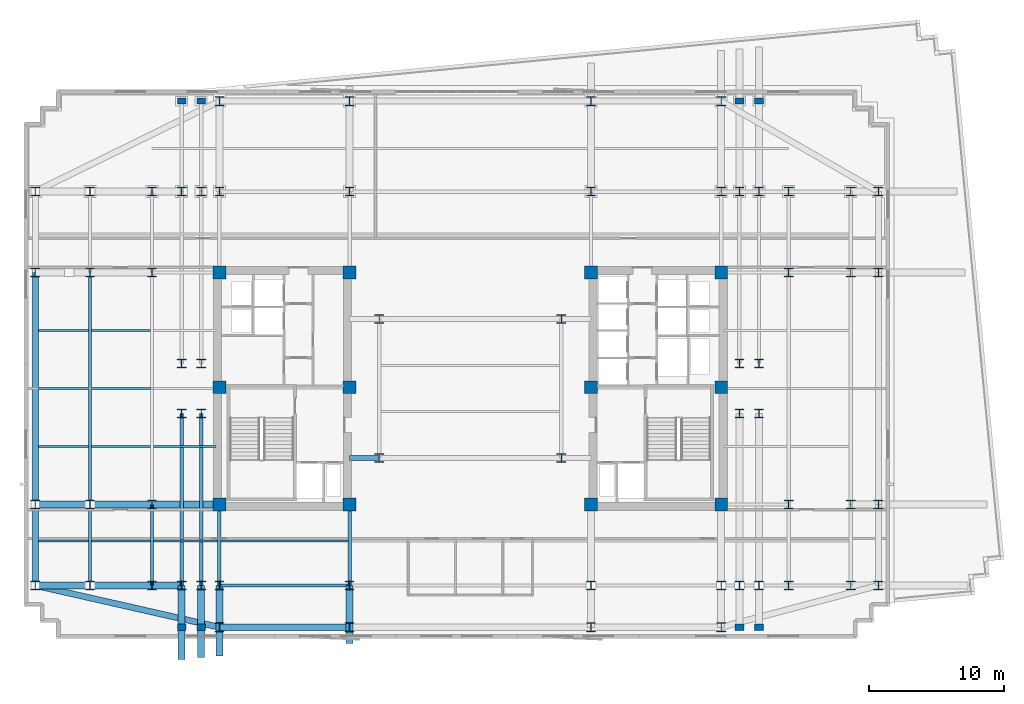
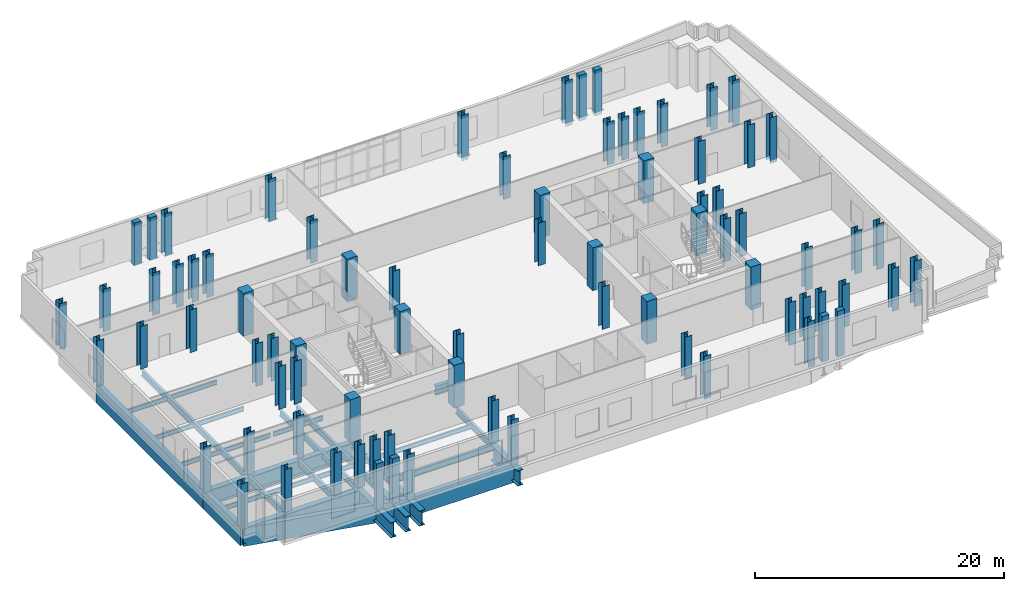
# One storey, part 1 of 14: 80 columns, 32 beams.
"""IFC4 building model written with IfcOpenShell, lengths in metres."""

from ifc_helpers import new_model, si_unit, direction, frame, origin, origin_2d, place, context, subcontext, project, spatial, rectangle, i_section, extrude, material, material_profile, profile_set, type_object, element, save


model = new_model("IFC4")

# Units and contexts
model_context = context("Model", 3, precision=1e-05, world=origin(), true_north=direction((0.0, 1.0)))
body_context = subcontext(model_context, "Body", "Model", "MODEL_VIEW")
ifc_project = project(units=[si_unit("LENGTHUNIT", "METRE"), si_unit("AREAUNIT", "SQUARE_METRE"), si_unit("VOLUMEUNIT", "CUBIC_METRE"), si_unit("PLANEANGLEUNIT", "RADIAN"), si_unit("MASSUNIT", "GRAM", prefix="KILO")], contexts=[model_context])

# Site, building, storey
site_placement = place(None, origin())
site = spatial("IfcSite", under=ifc_project, at=site_placement, CompositionType="ELEMENT")
building_placement = place(site_placement, origin())
building = spatial("IfcBuilding", under=site, at=building_placement, Name="Velakula Bourse", CompositionType="ELEMENT")
storey_placement = place(building_placement, frame((0.0, 0.0, 116.64990234375)))
storey = spatial("IfcBuildingStorey", under=building, at=storey_placement, Name="L31", CompositionType="ELEMENT", Elevation=116.64990234375)

# Columns
ifc_material_1 = material(Name="Concrete M70 (fck 70 MPa)", Category="concrete")
ifc_material_profile_1 = material_profile(ifc_material_1, rectangle(XDim=0.949951171875, YDim=0.949951171875, at=origin_2d()), Name="Concrete M70 (fck 70 MPa)")
ifc_profile_set_1 = profile_set([ifc_material_profile_1], Name="Concrete M70 (fck 70 MPa)")
column_type_1 = type_object("IfcColumnType", Name="COL-RC-950", PredefinedType="COLUMN", material=ifc_profile_set_1)
for number, where, z_axis, x_axis, name in (
    (1, (-8.949951171875, -8.60009765625, 0.0), (0.0, 0.0, 1.0), (1.0, 0.0, 0.0), "L31 Core Boundary Column 01"),
    (2, (-8.949951171875, 0.10009765625, 0.0), (0.0, 0.0, 1.0), (1.0, 0.0, 0.0), "L31 Core Boundary Column 02"),
    (3, (-8.949951171875, 8.60009765625, 0.0), (0.0, 0.0, 1.0), (1.0, 0.0, 0.0), "L31 Core Boundary Column 03"),
    (4, (-18.60009765625, -8.60009765625, 0.0), (0.0, 0.0, 1.0), (1.0, 0.0, 0.0), "L31 Core Boundary Column 04"),
    (5, (-18.60009765625, 0.10009765625, 0.0), (0.0, 0.0, 1.0), (1.0, 0.0, 0.0), "L31 Core Boundary Column 05"),
    (6, (-18.60009765625, 8.60009765625, 0.0), (0.0, 0.0, 1.0), (1.0, 0.0, 0.0), "L31 Core Boundary Column 06"),
    (7, (8.949951171875, -8.60009765625, 0.0), (0.0, 0.0, 1.0), (1.0, 0.0, 0.0), "L31 Core Boundary Column 07"),
    (8, (8.949951171875, 0.10009765625, 0.0), (0.0, 0.0, 1.0), (1.0, 0.0, 0.0), "L31 Core Boundary Column 08"),
    (9, (8.949951171875, 8.60009765625, 0.0), (0.0, 0.0, 1.0), (1.0, 0.0, 0.0), "L31 Core Boundary Column 09"),
    (10, (18.60009765625, -8.60009765625, 0.0), (0.0, 0.0, 1.0), (1.0, 0.0, 0.0), "L31 Core Boundary Column 10"),
    (11, (18.60009765625, 0.10009765625, 0.0), (0.0, 0.0, 1.0), (1.0, 0.0, 0.0), "L31 Core Boundary Column 11"),
    (12, (18.60009765625, 8.60009765625, 0.0), (0.0, 0.0, 1.0), (1.0, 0.0, 0.0), "L31 Core Boundary Column 12"),
):
    element("IfcColumn", number, at=place(storey_placement, frame(where, z_axis=z_axis, x_axis=x_axis)), inside=storey, type_object=column_type_1, Name=name, PredefinedType="COLUMN", context=body_context, shape_type="SweptSolid", body=[
        extrude(rectangle(XDim=0.949951171875, YDim=0.949951171875, at=origin_2d()), origin(), (0.0, 0.0, 1.0), 4.2001953125),
    ])
ifc_material_2 = material(Name="Steel IS 2062 Grade 350 (E350)", Category="steel")
ifc_material_profile_2 = material_profile(ifc_material_2, i_section(OverallWidth=0.64990234375, OverallDepth=0.64990234375, WebThickness=0.028076171875, FlangeThickness=0.0400390625, at=origin_2d()), Name="Steel IS 2062 Grade 350 (E350)")
ifc_profile_set_2 = profile_set([ifc_material_profile_2], Name="Steel IS 2062 Grade 350 (E350)")
column_type_2 = type_object("IfcColumnType", Name="COL-STL-650", PredefinedType="COLUMN", material=ifc_profile_set_2)
for number, where, z_axis, x_axis, name in (
    (13, (-6.75, -5.14990234375, 0.0), (0.0, 0.0, 1.0), (1.0, 0.0, 0.0), "L31 Central Spine Column 01"),
    (14, (-6.75, 5.14990234375, 0.0), (0.0, 0.0, 1.0), (1.0, 0.0, 0.0), "L31 Central Spine Column 02"),
    (15, (6.75, -5.14990234375, 0.0), (0.0, 0.0, 1.0), (1.0, 0.0, 0.0), "L31 Central Spine Column 03"),
    (16, (6.75, 5.14990234375, 0.0), (0.0, 0.0, 1.0), (1.0, 0.0, 0.0), "L31 Central Spine Column 04"),
    (17, (-21.39990234375, -14.60009765625, 0.0), (0.0, 0.0, 1.0), (1.0, 0.0, 0.0), "L31 Tower Fulcrum Column 01"),
    (18, (-21.39990234375, 14.60009765625, 0.0), (0.0, 0.0, 1.0), (1.0, 0.0, 0.0), "L31 Tower Fulcrum Column 02"),
    (19, (-19.949951171875, -14.60009765625, 0.0), (0.0, 0.0, 1.0), (1.0, 0.0, 0.0), "L31 Tower Fulcrum Column 03"),
    (20, (-19.949951171875, 14.60009765625, 0.0), (0.0, 0.0, 1.0), (1.0, 0.0, 0.0), "L31 Tower Fulcrum Column 04"),
    (21, (-18.60009765625, -14.60009765625, 0.0), (0.0, 0.0, 1.0), (1.0, 0.0, 0.0), "L31 Tower Fulcrum Column 05"),
    (22, (-18.60009765625, 14.60009765625, 0.0), (0.0, 0.0, 1.0), (1.0, 0.0, 0.0), "L31 Tower Fulcrum Column 06"),
    (23, (-8.949951171875, -14.60009765625, 0.0), (0.0, 0.0, 1.0), (1.0, 0.0, 0.0), "L31 Tower Fulcrum Column 07"),
    (24, (-8.949951171875, 14.60009765625, 0.0), (0.0, 0.0, 1.0), (1.0, 0.0, 0.0), "L31 Tower Fulcrum Column 08"),
    (25, (8.949951171875, -14.60009765625, 0.0), (0.0, 0.0, 1.0), (1.0, 0.0, 0.0), "L31 Tower Fulcrum Column 09"),
    (26, (8.949951171875, 14.60009765625, 0.0), (0.0, 0.0, 1.0), (1.0, 0.0, 0.0), "L31 Tower Fulcrum Column 10"),
    (27, (18.60009765625, -14.60009765625, 0.0), (0.0, 0.0, 1.0), (1.0, 0.0, 0.0), "L31 Tower Fulcrum Column 11"),
    (28, (18.60009765625, 14.60009765625, 0.0), (0.0, 0.0, 1.0), (1.0, 0.0, 0.0), "L31 Tower Fulcrum Column 12"),
    (29, (19.949951171875, -14.60009765625, 0.0), (0.0, 0.0, 1.0), (1.0, 0.0, 0.0), "L31 Tower Fulcrum Column 13"),
    (30, (19.949951171875, 14.60009765625, 0.0), (0.0, 0.0, 1.0), (1.0, 0.0, 0.0), "L31 Tower Fulcrum Column 14"),
    (31, (21.39990234375, -14.60009765625, 0.0), (0.0, 0.0, 1.0), (1.0, 0.0, 0.0), "L31 Tower Fulcrum Column 15"),
    (32, (21.39990234375, 14.60009765625, 0.0), (0.0, 0.0, 1.0), (1.0, 0.0, 0.0), "L31 Tower Fulcrum Column 16"),
    (33, (-21.39990234375, -1.85009765625, 0.0), (0.0, 0.0, 1.0), (1.0, 0.0, 0.0), "L31 Tower Fulcrum Column 17"),
    (34, (-21.39990234375, 1.85009765625, 0.0), (0.0, 0.0, 1.0), (1.0, 0.0, 0.0), "L31 Tower Fulcrum Column 18"),
    (35, (-19.949951171875, -1.85009765625, 0.0), (0.0, 0.0, 1.0), (1.0, 0.0, 0.0), "L31 Tower Fulcrum Column 19"),
    (36, (-19.949951171875, 1.85009765625, 0.0), (0.0, 0.0, 1.0), (1.0, 0.0, 0.0), "L31 Tower Fulcrum Column 20"),
    (37, (19.949951171875, -1.85009765625, 0.0), (0.0, 0.0, 1.0), (1.0, 0.0, 0.0), "L31 Tower Fulcrum Column 21"),
    (38, (19.949951171875, 1.85009765625, 0.0), (0.0, 0.0, 1.0), (1.0, 0.0, 0.0), "L31 Tower Fulcrum Column 22"),
    (39, (21.39990234375, -1.85009765625, 0.0), (0.0, 0.0, 1.0), (1.0, 0.0, 0.0), "L31 Tower Fulcrum Column 23"),
    (40, (21.39990234375, 1.85009765625, 0.0), (0.0, 0.0, 1.0), (1.0, 0.0, 0.0), "L31 Tower Fulcrum Column 24"),
    (41, (-23.60009765625, -14.60009765625, 0.0), (0.0, 0.0, 1.0), (1.0, 0.0, 0.0), "L31 Mid-Wing Plumb Column 01"),
    (42, (-23.60009765625, -8.60009765625, 0.0), (0.0, 0.0, 1.0), (1.0, 0.0, 0.0), "L31 Mid-Wing Plumb Column 02"),
    (43, (-23.60009765625, 8.60009765625, 0.0), (0.0, 0.0, 1.0), (1.0, 0.0, 0.0), "L31 Mid-Wing Plumb Column 03"),
    (44, (-23.60009765625, 14.60009765625, 0.0), (0.0, 0.0, 1.0), (1.0, 0.0, 0.0), "L31 Mid-Wing Plumb Column 04"),
    (45, (23.60009765625, -14.60009765625, 0.0), (0.0, 0.0, 1.0), (1.0, 0.0, 0.0), "L31 Mid-Wing Plumb Column 05"),
    (46, (23.60009765625, -8.60009765625, 0.0), (0.0, 0.0, 1.0), (1.0, 0.0, 0.0), "L31 Mid-Wing Plumb Column 06"),
    (47, (23.60009765625, 8.60009765625, 0.0), (0.0, 0.0, 1.0), (1.0, 0.0, 0.0), "L31 Mid-Wing Plumb Column 07"),
    (48, (23.60009765625, 14.60009765625, 0.0), (0.0, 0.0, 1.0), (1.0, 0.0, 0.0), "L31 Mid-Wing Plumb Column 08"),
    (49, (-28.199951171875, -14.60009765625, 0.0), (0.0, 0.0, 1.0), (1.0, 0.0, 0.0), "L31 Lower Wing Column 01"),
    (50, (-28.199951171875, -8.60009765625, 0.0), (0.0, 0.0, 1.0), (1.0, 0.0, 0.0), "L31 Lower Wing Column 02"),
    (51, (-28.199951171875, 8.60009765625, 0.0), (0.0, 0.0, 1.0), (1.0, 0.0, 0.0), "L31 Lower Wing Column 03"),
    (52, (-28.199951171875, 14.60009765625, 0.0), (0.0, 0.0, 1.0), (1.0, 0.0, 0.0), "L31 Lower Wing Column 04"),
    (53, (28.199951171875, -14.60009765625, 0.0), (0.0, 0.0, 1.0), (1.0, 0.0, 0.0), "L31 Lower Wing Column 05"),
    (54, (28.199951171875, -8.60009765625, 0.0), (0.0, 0.0, 1.0), (1.0, 0.0, 0.0), "L31 Lower Wing Column 06"),
    (55, (28.199951171875, 8.60009765625, 0.0), (0.0, 0.0, 1.0), (1.0, 0.0, 0.0), "L31 Lower Wing Column 07"),
    (56, (28.199951171875, 14.60009765625, 0.0), (0.0, 0.0, 1.0), (1.0, 0.0, 0.0), "L31 Lower Wing Column 08"),
):
    element("IfcColumn", number, at=place(storey_placement, frame(where, z_axis=z_axis, x_axis=x_axis)), inside=storey, type_object=column_type_2, Name=name, PredefinedType="COLUMN", context=body_context, shape_type="SweptSolid", body=[
        extrude(i_section(OverallWidth=0.64990234375, OverallDepth=0.64990234375, WebThickness=0.028076171875, FlangeThickness=0.0400390625, at=origin_2d()), origin(), (0.0, 0.0, 1.0), 4.2001953125),
    ])
for number, where, z_axis, x_axis, name in (
    (57, (-18.60009765625, -17.699951171875, -0.27978515625), (0.0, 0.0, 1.0), (1.0, 0.0, 0.0), "L31 Block B3 Perimeter Column S1"),
    (58, (-8.949951171875, -17.699951171875, -0.27978515625), (0.0, 0.0, 1.0), (1.0, 0.0, 0.0), "L31 Block B3 Perimeter Column S2"),
):
    element("IfcColumn", number, at=place(storey_placement, frame(where, z_axis=z_axis, x_axis=x_axis)), inside=storey, type_object=column_type_2, Name=name, PredefinedType="COLUMN", context=body_context, shape_type="SweptSolid", body=[
        extrude(i_section(OverallWidth=0.64990234375, OverallDepth=0.64990234375, WebThickness=0.028076171875, FlangeThickness=0.0400390625, at=origin_2d()), origin(), (0.0, 0.0, 1.0), 4.47998046875),
    ])
column_1_placement = place(storey_placement, frame((8.949951171875, -17.699951171875, 0.0), z_axis=(0.0, 0.0, 1.0), x_axis=(1.0, 0.0, 0.0)))
element("IfcColumn", 59, at=column_1_placement, inside=storey, type_object=column_type_2, Name="L31 Block B3 Perimeter Column S3", PredefinedType="COLUMN", context=body_context, shape_type="SweptSolid", body=[
    extrude(i_section(OverallWidth=0.64990234375, OverallDepth=0.64990234375, WebThickness=0.028076171875, FlangeThickness=0.0400390625, at=origin_2d()), origin(), (0.0, 0.0, 1.0), 4.2001953125),
])
column_2_placement = place(storey_placement, frame((18.60009765625, -17.699951171875, -0.27978515625), z_axis=(0.0, 0.0, 1.0), x_axis=(1.0, 0.0, 0.0)))
element("IfcColumn", 60, at=column_2_placement, inside=storey, type_object=column_type_2, Name="L31 Block B3 Perimeter Column S4", PredefinedType="COLUMN", context=body_context, shape_type="SweptSolid", body=[
    extrude(i_section(OverallWidth=0.64990234375, OverallDepth=0.64990234375, WebThickness=0.028076171875, FlangeThickness=0.0400390625, at=origin_2d()), origin(), (0.0, 0.0, 1.0), 4.47998046875),
])
for number, where, z_axis, x_axis, name in (
    (61, (-18.60009765625, 21.300048828125, 0.0), (0.0, 0.0, 1.0), (1.0, 0.0, 0.0), "L31 Block B3 Perimeter Column N1"),
    (62, (-8.949951171875, 21.300048828125, 0.0), (0.0, 0.0, 1.0), (1.0, 0.0, 0.0), "L31 Block B3 Perimeter Column N2"),
):
    element("IfcColumn", number, at=place(storey_placement, frame(where, z_axis=z_axis, x_axis=x_axis)), inside=storey, type_object=column_type_2, Name=name, PredefinedType="COLUMN", context=body_context, shape_type="SweptSolid", body=[
        extrude(i_section(OverallWidth=0.64990234375, OverallDepth=0.64990234375, WebThickness=0.028076171875, FlangeThickness=0.0400390625, at=origin_2d()), origin(), (0.0, 0.0, 1.0), 4.2001953125),
    ])
for number, where, z_axis, x_axis, name in (
    (63, (8.949951171875, 21.300048828125, -0.27978515625), (0.0, 0.0, 1.0), (1.0, 0.0, 0.0), "L31 Block B3 Perimeter Column N3"),
    (64, (18.60009765625, 21.300048828125, -0.27978515625), (0.0, 0.0, 1.0), (1.0, 0.0, 0.0), "L31 Block B3 Perimeter Column N4"),
    (65, (-32.25, -14.60009765625, -0.27978515625), (0.0, 0.0, 1.0), (1.0, 0.0, 0.0), "L31 Block B3 Perimeter Column W1"),
    (66, (-32.25, -8.60009765625, -0.27978515625), (0.0, 0.0, 1.0), (1.0, 0.0, 0.0), "L31 Block B3 Perimeter Column W2"),
    (67, (-32.25, 8.60009765625, -0.27978515625), (0.0, 0.0, 1.0), (1.0, 0.0, 0.0), "L31 Block B3 Perimeter Column W3"),
    (68, (-32.25, 14.60009765625, -0.27978515625), (0.0, 0.0, 1.0), (1.0, 0.0, 0.0), "L31 Block B3 Perimeter Column W4"),
    (69, (30.25, -14.60009765625, -0.27978515625), (0.0, 0.0, 1.0), (1.0, 0.0, 0.0), "L31 Block B3 Perimeter Column E1"),
    (70, (30.25, -8.60009765625, -0.27978515625), (0.0, 0.0, 1.0), (1.0, 0.0, 0.0), "L31 Block B3 Perimeter Column E2"),
    (71, (30.25, 8.60009765625, -0.27978515625), (0.0, 0.0, 1.0), (1.0, 0.0, 0.0), "L31 Block B3 Perimeter Column E3"),
    (72, (30.25, 14.60009765625, -0.27978515625), (0.0, 0.0, 1.0), (1.0, 0.0, 0.0), "L31 Block B3 Perimeter Column E4"),
):
    element("IfcColumn", number, at=place(storey_placement, frame(where, z_axis=z_axis, x_axis=x_axis)), inside=storey, type_object=column_type_2, Name=name, PredefinedType="COLUMN", context=body_context, shape_type="SweptSolid", body=[
        extrude(i_section(OverallWidth=0.64990234375, OverallDepth=0.64990234375, WebThickness=0.028076171875, FlangeThickness=0.0400390625, at=origin_2d()), origin(), (0.0, 0.0, 1.0), 4.47998046875),
    ])
ifc_material_3 = material(Name="Precast concrete M45 (fck 45 MPa)", Category="concrete")
ifc_material_profile_3 = material_profile(ifc_material_3, rectangle(XDim=0.64990234375, YDim=0.449951171875, at=origin_2d()), Name="Precast concrete M45 (fck 45 MPa)")
ifc_profile_set_3 = profile_set([ifc_material_profile_3], Name="Precast concrete M45 (fck 45 MPa)")
column_type_3 = type_object("IfcColumnType", Name="PIL-BRICK-650", PredefinedType="PILASTER", material=ifc_profile_set_3)
for number, where, z_axis, x_axis, name in (
    (73, (-21.39990234375, -17.699951171875, -0.27978515625), (0.0, 0.0, 1.0), (1.0, 0.0, 0.0), "L31 Brick Pier Pilaster 01"),
    (74, (-19.949951171875, -17.699951171875, -0.27978515625), (0.0, 0.0, 1.0), (1.0, 0.0, 0.0), "L31 Brick Pier Pilaster 02"),
    (75, (19.949951171875, -17.699951171875, -0.27978515625), (0.0, 0.0, 1.0), (1.0, 0.0, 0.0), "L31 Brick Pier Pilaster 03"),
    (76, (21.39990234375, -17.699951171875, -0.27978515625), (0.0, 0.0, 1.0), (1.0, 0.0, 0.0), "L31 Brick Pier Pilaster 04"),
):
    element("IfcColumn", number, at=place(storey_placement, frame(where, z_axis=z_axis, x_axis=x_axis)), inside=storey, type_object=column_type_3, Name=name, PredefinedType="PILASTER", context=body_context, shape_type="SweptSolid", body=[
        extrude(rectangle(XDim=0.64990234375, YDim=0.449951171875, at=origin_2d()), origin(), (0.0, 0.0, 1.0), 4.47998046875),
    ])
for number, where, z_axis, x_axis, name in (
    (77, (-21.39990234375, 21.300048828125, 0.0), (0.0, 0.0, 1.0), (1.0, 0.0, 0.0), "L31 Brick Pier Pilaster 05"),
    (78, (-19.949951171875, 21.300048828125, 0.0), (0.0, 0.0, 1.0), (1.0, 0.0, 0.0), "L31 Brick Pier Pilaster 06"),
):
    element("IfcColumn", number, at=place(storey_placement, frame(where, z_axis=z_axis, x_axis=x_axis)), inside=storey, type_object=column_type_3, Name=name, PredefinedType="PILASTER", context=body_context, shape_type="SweptSolid", body=[
        extrude(rectangle(XDim=0.64990234375, YDim=0.449951171875, at=origin_2d()), origin(), (0.0, 0.0, 1.0), 4.2001953125),
    ])
for number, where, z_axis, x_axis, name in (
    (79, (19.949951171875, 21.300048828125, -0.27978515625), (0.0, 0.0, 1.0), (1.0, 0.0, 0.0), "L31 Brick Pier Pilaster 07"),
    (80, (21.39990234375, 21.300048828125, -0.27978515625), (0.0, 0.0, 1.0), (1.0, 0.0, 0.0), "L31 Brick Pier Pilaster 08"),
):
    element("IfcColumn", number, at=place(storey_placement, frame(where, z_axis=z_axis, x_axis=x_axis)), inside=storey, type_object=column_type_3, Name=name, PredefinedType="PILASTER", context=body_context, shape_type="SweptSolid", body=[
        extrude(rectangle(XDim=0.64990234375, YDim=0.449951171875, at=origin_2d()), origin(), (0.0, 0.0, 1.0), 4.47998046875),
    ])

# Beams
ifc_material_profile_4 = material_profile(ifc_material_2, i_section(OverallWidth=0.25, OverallDepth=0.60009765625, WebThickness=0.01123046875, FlangeThickness=0.021240234375, at=origin_2d()), Name="Steel IS 2062 Grade 350 (E350)")
ifc_profile_set_4 = profile_set([ifc_material_profile_4], Name="Steel IS 2062 Grade 350 (E350)")
beam_type_1 = type_object("IfcBeamType", Name="BM-GRD-600M", PredefinedType="BEAM", material=ifc_profile_set_4)
for number, where, z_axis, x_axis, name in (
    (81, (-18.60009765625, -14.60009765625, -0.579833984375), (0.0, 1.0, 0.0), (-1.0, 0.0, 0.0), "L31 Fulcrum Grid Girder FLC-WS"),
    (82, (-8.949951171875, -14.60009765625, -0.579833984375), (0.0, 1.0, 0.0), (-1.0, 0.0, 0.0), "L31 Fulcrum Grid Girder FLC-WCS"),
):
    element("IfcBeam", number, at=place(storey_placement, frame(where, z_axis=z_axis, x_axis=x_axis)), inside=storey, type_object=beam_type_1, Name=name, PredefinedType="BEAM", context=body_context, shape_type="SweptSolid", body=[
        extrude(i_section(OverallWidth=0.25, OverallDepth=0.60009765625, WebThickness=0.01123046875, FlangeThickness=0.021240234375, at=origin_2d()), origin(), (0.0, 0.0, 1.0), 6.0),
    ])
beam_1_placement = place(storey_placement, frame((-18.60009765625, -14.60009765625, -0.579833984375), z_axis=(1.0, 0.0, 0.0), x_axis=(0.0, 1.0, 0.0)))
element("IfcBeam", 83, at=beam_1_placement, inside=storey, type_object=beam_type_1, Name="L31 Fulcrum Grid Girder FLC-S1", PredefinedType="BEAM", context=body_context, shape_type="SweptSolid", body=[
    extrude(i_section(OverallWidth=0.25, OverallDepth=0.60009765625, WebThickness=0.01123046875, FlangeThickness=0.021240234375, at=origin_2d()), origin(), (0.0, 0.0, 1.0), 9.650146484375),
])
for number, where, z_axis, x_axis, name in (
    (84, (-21.39990234375, -14.60009765625, -0.579833984375), (0.0, 1.0, 0.0), (-1.0, 0.0, 0.0), "L31 Fulcrum Grid Girder FLC-PSW1"),
    (85, (-19.949951171875, -14.60009765625, -0.579833984375), (0.0, 1.0, 0.0), (-1.0, 0.0, 0.0), "L31 Fulcrum Grid Girder FLC-PSW2"),
):
    element("IfcBeam", number, at=place(storey_placement, frame(where, z_axis=z_axis, x_axis=x_axis)), inside=storey, type_object=beam_type_1, Name=name, PredefinedType="BEAM", context=body_context, shape_type="SweptSolid", body=[
        extrude(i_section(OverallWidth=0.25, OverallDepth=0.60009765625, WebThickness=0.01123046875, FlangeThickness=0.021240234375, at=origin_2d()), origin(), (0.0, 0.0, 1.0), 12.75),
    ])
for number, where, z_axis, x_axis, name in (
    (86, (-23.60009765625, -14.60009765625, -0.579833984375), (0.0, 1.0, 0.0), (-1.0, 0.0, 0.0), "L31 Fulcrum Grid Girder MWG-WNS1"),
    (87, (-28.199951171875, -14.60009765625, -0.579833984375), (0.0, 1.0, 0.0), (-1.0, 0.0, 0.0), "L31 Fulcrum Grid Girder WNG-WNS1"),
):
    element("IfcBeam", number, at=place(storey_placement, frame(where, z_axis=z_axis, x_axis=x_axis)), inside=storey, type_object=beam_type_1, Name=name, PredefinedType="BEAM", context=body_context, shape_type="SweptSolid", body=[
        extrude(i_section(OverallWidth=0.25, OverallDepth=0.60009765625, WebThickness=0.01123046875, FlangeThickness=0.021240234375, at=origin_2d()), origin(), (0.0, 0.0, 1.0), 6.0),
    ])
beam_2_placement = place(storey_placement, frame((-28.199951171875, -8.60009765625, -0.579833984375), z_axis=(0.0, 1.0, 0.0), x_axis=(-1.0, 0.0, 0.0)))
element("IfcBeam", 88, at=beam_2_placement, inside=storey, type_object=beam_type_1, Name="L31 Fulcrum Grid Girder WNG-WNS2", PredefinedType="BEAM", context=body_context, shape_type="SweptSolid", body=[
    extrude(i_section(OverallWidth=0.25, OverallDepth=0.60009765625, WebThickness=0.01123046875, FlangeThickness=0.021240234375, at=origin_2d()), origin(), (0.0, 0.0, 1.0), 17.2001953125),
])
ifc_material_profile_5 = material_profile(ifc_material_2, i_section(OverallWidth=0.35009765625, OverallDepth=0.89990234375, WebThickness=0.02001953125, FlangeThickness=0.031982421875, at=origin_2d()), Name="Steel IS 2062 Grade 350 (E350)")
ifc_profile_set_5 = profile_set([ifc_material_profile_5], Name="Steel IS 2062 Grade 350 (E350)")
beam_type_2 = type_object("IfcBeamType", Name="BM-LNK-900", PredefinedType="BEAM", material=ifc_profile_set_5)
beam_3_placement = place(storey_placement, frame((-8.949951171875, -5.14990234375, -0.72998046875), z_axis=(1.0, 0.0, 0.0), x_axis=(0.0, 1.0, 0.0)))
element("IfcBeam", 89, at=beam_3_placement, inside=storey, type_object=beam_type_2, Name="L31 Primary Backbone Girder LNK-S1", PredefinedType="BEAM", context=body_context, shape_type="SweptSolid", body=[
    extrude(i_section(OverallWidth=0.35009765625, OverallDepth=0.89990234375, WebThickness=0.02001953125, FlangeThickness=0.031982421875, at=origin_2d()), origin(), (0.0, 0.0, 1.0), 2.199951171875),
])
ifc_material_profile_6 = material_profile(ifc_material_2, i_section(OverallWidth=0.14990234375, OverallDepth=0.449951171875, WebThickness=0.009521484375, FlangeThickness=0.017333984375, at=origin_2d()), Name="Steel IS 2062 Grade 350 (E350)")
ifc_profile_set_6 = profile_set([ifc_material_profile_6], Name="Steel IS 2062 Grade 350 (E350)")
beam_type_3 = type_object("IfcBeamType", Name="JST-TWR-450", PredefinedType="JOIST", material=ifc_profile_set_6)
beam_4_placement = place(storey_placement, frame((-32.02490234375, -11.300048828125, -0.5048828125), z_axis=(1.0, 0.0, 0.0), x_axis=(0.0, 1.0, 0.0)))
element("IfcBeam", 90, at=beam_4_placement, inside=storey, type_object=beam_type_3, Name="L31 Trading Floor Composite Joist 01", PredefinedType="JOIST", context=body_context, shape_type="SweptSolid", body=[
    extrude(i_section(OverallWidth=0.14990234375, OverallDepth=0.449951171875, WebThickness=0.009521484375, FlangeThickness=0.017333984375, at=origin_2d()), origin(), (0.0, 0.0, 1.0), 3.699951171875),
])
beam_5_placement = place(storey_placement, frame((-28.074951171875, -11.300048828125, -0.5048828125), z_axis=(1.0, 0.0, 0.0), x_axis=(0.0, 1.0, 0.0)))
element("IfcBeam", 91, at=beam_5_placement, inside=storey, type_object=beam_type_3, Name="L31 Trading Floor Composite Joist 02", PredefinedType="JOIST", context=body_context, shape_type="SweptSolid", body=[
    extrude(i_section(OverallWidth=0.14990234375, OverallDepth=0.449951171875, WebThickness=0.009521484375, FlangeThickness=0.017333984375, at=origin_2d()), origin(), (0.0, 0.0, 1.0), 4.349853515625),
])
beam_6_placement = place(storey_placement, frame((-23.47509765625, -11.300048828125, -0.5048828125), z_axis=(1.0, 0.0, 0.0), x_axis=(0.0, 1.0, 0.0)))
element("IfcBeam", 92, at=beam_6_placement, inside=storey, type_object=beam_type_3, Name="L31 Trading Floor Composite Joist 03", PredefinedType="JOIST", context=body_context, shape_type="SweptSolid", body=[
    extrude(i_section(OverallWidth=0.14990234375, OverallDepth=0.449951171875, WebThickness=0.009521484375, FlangeThickness=0.017333984375, at=origin_2d()), origin(), (0.0, 0.0, 1.0), 4.75),
])
beam_7_placement = place(storey_placement, frame((-18.47509765625, -11.300048828125, -0.5048828125), z_axis=(1.0, 0.0, 0.0), x_axis=(0.0, 1.0, 0.0)))
element("IfcBeam", 93, at=beam_7_placement, inside=storey, type_object=beam_type_3, Name="L31 Trading Floor Composite Joist 04", PredefinedType="JOIST", context=body_context, shape_type="SweptSolid", body=[
    extrude(i_section(OverallWidth=0.14990234375, OverallDepth=0.449951171875, WebThickness=0.009521484375, FlangeThickness=0.017333984375, at=origin_2d()), origin(), (0.0, 0.0, 1.0), 9.400146484375),
])
beam_8_placement = place(storey_placement, frame((-32.02490234375, -4.300048828125, -0.5048828125), z_axis=(1.0, 0.0, 0.0), x_axis=(0.0, 1.0, 0.0)))
element("IfcBeam", 94, at=beam_8_placement, inside=storey, type_object=beam_type_3, Name="L31 Trading Floor Composite Joist 27", PredefinedType="JOIST", context=body_context, shape_type="SweptSolid", body=[
    extrude(i_section(OverallWidth=0.14990234375, OverallDepth=0.449951171875, WebThickness=0.009521484375, FlangeThickness=0.017333984375, at=origin_2d()), origin(), (0.0, 0.0, 1.0), 3.699951171875),
])
beam_9_placement = place(storey_placement, frame((-28.074951171875, -4.300048828125, -0.5048828125), z_axis=(1.0, 0.0, 0.0), x_axis=(0.0, 1.0, 0.0)))
element("IfcBeam", 95, at=beam_9_placement, inside=storey, type_object=beam_type_3, Name="L31 Trading Floor Composite Joist 28", PredefinedType="JOIST", context=body_context, shape_type="SweptSolid", body=[
    extrude(i_section(OverallWidth=0.14990234375, OverallDepth=0.449951171875, WebThickness=0.009521484375, FlangeThickness=0.017333984375, at=origin_2d()), origin(), (0.0, 0.0, 1.0), 4.349853515625),
])
beam_10_placement = place(storey_placement, frame((-23.47509765625, -4.300048828125, -0.5048828125), z_axis=(1.0, 0.0, 0.0), x_axis=(0.0, 1.0, 0.0)))
element("IfcBeam", 96, at=beam_10_placement, inside=storey, type_object=beam_type_3, Name="L31 Trading Floor Composite Joist 29", PredefinedType="JOIST", context=body_context, shape_type="SweptSolid", body=[
    extrude(i_section(OverallWidth=0.14990234375, OverallDepth=0.449951171875, WebThickness=0.009521484375, FlangeThickness=0.017333984375, at=origin_2d()), origin(), (0.0, 0.0, 1.0), 4.625),
])
beam_11_placement = place(storey_placement, frame((-32.02490234375, 0.0, -0.5048828125), z_axis=(1.0, 0.0, 0.0), x_axis=(0.0, 1.0, 0.0)))
element("IfcBeam", 97, at=beam_11_placement, inside=storey, type_object=beam_type_3, Name="L31 Trading Floor Composite Joist 32", PredefinedType="JOIST", context=body_context, shape_type="SweptSolid", body=[
    extrude(i_section(OverallWidth=0.14990234375, OverallDepth=0.449951171875, WebThickness=0.009521484375, FlangeThickness=0.017333984375, at=origin_2d()), origin(), (0.0, 0.0, 1.0), 3.699951171875),
])
beam_12_placement = place(storey_placement, frame((-28.074951171875, 0.0, -0.5048828125), z_axis=(1.0, 0.0, 0.0), x_axis=(0.0, 1.0, 0.0)))
element("IfcBeam", 98, at=beam_12_placement, inside=storey, type_object=beam_type_3, Name="L31 Trading Floor Composite Joist 33", PredefinedType="JOIST", context=body_context, shape_type="SweptSolid", body=[
    extrude(i_section(OverallWidth=0.14990234375, OverallDepth=0.449951171875, WebThickness=0.009521484375, FlangeThickness=0.017333984375, at=origin_2d()), origin(), (0.0, 0.0, 1.0), 4.349853515625),
])
beam_13_placement = place(storey_placement, frame((-32.02490234375, 4.300048828125, -0.5048828125), z_axis=(1.0, 0.0, 0.0), x_axis=(0.0, 1.0, 0.0)))
element("IfcBeam", 99, at=beam_13_placement, inside=storey, type_object=beam_type_3, Name="L31 Trading Floor Composite Joist 37", PredefinedType="JOIST", context=body_context, shape_type="SweptSolid", body=[
    extrude(i_section(OverallWidth=0.14990234375, OverallDepth=0.449951171875, WebThickness=0.009521484375, FlangeThickness=0.017333984375, at=origin_2d()), origin(), (0.0, 0.0, 1.0), 3.699951171875),
])
beam_14_placement = place(storey_placement, frame((-28.074951171875, 4.300048828125, -0.5048828125), z_axis=(1.0, 0.0, 0.0), x_axis=(0.0, 1.0, 0.0)))
element("IfcBeam", 100, at=beam_14_placement, inside=storey, type_object=beam_type_3, Name="L31 Trading Floor Composite Joist 38", PredefinedType="JOIST", context=body_context, shape_type="SweptSolid", body=[
    extrude(i_section(OverallWidth=0.14990234375, OverallDepth=0.449951171875, WebThickness=0.009521484375, FlangeThickness=0.017333984375, at=origin_2d()), origin(), (0.0, 0.0, 1.0), 4.349853515625),
])
ifc_material_4 = material(Name="Concrete M50 (fck 50 MPa)", Category="concrete")
ifc_material_profile_7 = material_profile(ifc_material_4, rectangle(XDim=0.449951171875, YDim=1.800048828125, at=origin_2d()), Name="Concrete M50 (fck 50 MPa)")
ifc_profile_set_7 = profile_set([ifc_material_profile_7], Name="Concrete M50 (fck 50 MPa)")
beam_type_4 = type_object("IfcBeamType", Name="SPN-TRF-1800", PredefinedType="SPANDREL", material=ifc_profile_set_7)
beam_15_placement = place(storey_placement, frame((-18.60009765625, -17.699951171875, -1.179931640625), z_axis=(1.0, 0.0, 0.0), x_axis=(0.0, 1.0, 0.0)))
element("IfcBeam", 101, at=beam_15_placement, inside=storey, type_object=beam_type_4, Name="L31 Brick-Faced Precast Spandrel S1-S2", PredefinedType="SPANDREL", context=body_context, shape_type="SweptSolid", body=[
    extrude(rectangle(XDim=0.449951171875, YDim=1.800048828125, at=origin_2d()), origin(), (0.0, 0.0, 1.0), 9.650146484375),
])
beam_16_placement = place(storey_placement, frame((-32.25, -14.60009765625, -1.179931640625), z_axis=(0.0, 1.0, 0.0), x_axis=(-1.0, 0.0, 0.0)))
element("IfcBeam", 102, at=beam_16_placement, inside=storey, type_object=beam_type_4, Name="L31 Brick-Faced Precast Spandrel W1-W2", PredefinedType="SPANDREL", context=body_context, shape_type="SweptSolid", body=[
    extrude(rectangle(XDim=0.449951171875, YDim=1.800048828125, at=origin_2d()), origin(), (0.0, 0.0, 1.0), 6.0),
])
beam_17_placement = place(storey_placement, frame((-32.25, -8.60009765625, -1.179931640625), z_axis=(0.0, 1.0, 0.0), x_axis=(-1.0, 0.0, 0.0)))
element("IfcBeam", 103, at=beam_17_placement, inside=storey, type_object=beam_type_4, Name="L31 Brick-Faced Precast Spandrel W2-W3", PredefinedType="SPANDREL", context=body_context, shape_type="SweptSolid", body=[
    extrude(rectangle(XDim=0.449951171875, YDim=1.800048828125, at=origin_2d()), origin(), (0.0, 0.0, 1.0), 17.2001953125),
])
beam_18_placement = place(storey_placement, frame((-32.25, -14.60009765625, -1.179931640625), z_axis=(0.975169850292, -0.221458264875, 0.0), x_axis=(0.221458264875, 0.975169850292, 0.0)))
element("IfcBeam", 104, at=beam_18_placement, inside=storey, type_object=beam_type_4, Name="L31 Brick-Faced Precast Spandrel W1-S1", PredefinedType="SPANDREL", context=body_context, shape_type="SweptSolid", body=[
    extrude(rectangle(XDim=0.449951171875, YDim=1.800048828125, at=origin_2d()), origin(), (0.0, 0.0, 1.0), 13.99755859375),
])
ifc_material_5 = material(Name="Steel IS 2062 Grade 450 (E450)", Category="steel")
ifc_material_profile_8 = material_profile(ifc_material_5, i_section(OverallWidth=0.52001953125, OverallDepth=1.5, WebThickness=0.030029296875, FlangeThickness=0.048095703125, at=origin_2d()), Name="Steel IS 2062 Grade 450 (E450)")
ifc_profile_set_8 = profile_set([ifc_material_profile_8], Name="Steel IS 2062 Grade 450 (E450)")
beam_type_5 = type_object("IfcBeamType", Name="TB-CANT-1500", PredefinedType="BEAM", material=ifc_profile_set_8)
beam_19_placement = place(storey_placement, frame((-18.60009765625, -19.8212890625, -1.02978515625), z_axis=(0.0, 1.0, 0.0), x_axis=(-1.0, 0.0, 0.0)))
element("IfcBeam", 105, at=beam_19_placement, inside=storey, type_object=beam_type_5, Name="L31 Block B3 Transfer Girder S1", PredefinedType="BEAM", context=body_context, shape_type="SweptSolid", body=[
    extrude(i_section(OverallWidth=0.52001953125, OverallDepth=1.5, WebThickness=0.030029296875, FlangeThickness=0.048095703125, at=origin_2d()), origin(), (0.0, 0.0, 1.0), 5.22119140625),
])
beam_20_placement = place(storey_placement, frame((-8.949951171875, -18.89208984375, -1.02978515625), z_axis=(0.0, 1.0, 0.0), x_axis=(-1.0, 0.0, 0.0)))
element("IfcBeam", 106, at=beam_20_placement, inside=storey, type_object=beam_type_5, Name="L31 Block B3 Transfer Girder S2", PredefinedType="BEAM", context=body_context, shape_type="SweptSolid", body=[
    extrude(i_section(OverallWidth=0.52001953125, OverallDepth=1.5, WebThickness=0.030029296875, FlangeThickness=0.048095703125, at=origin_2d()), origin(), (0.0, 0.0, 1.0), 4.2919921875),
])
beam_21_placement = place(storey_placement, frame((-21.39990234375, -14.60009765625, -1.02978515625), z_axis=(-1.0, 0.0, 0.0), x_axis=(0.0, -1.0, 0.0)))
element("IfcBeam", 107, at=beam_21_placement, inside=storey, type_object=beam_type_5, Name="L31 Collinear Transfer Back-Span Girder W1", PredefinedType="BEAM", context=body_context, shape_type="SweptSolid", body=[
    extrude(i_section(OverallWidth=0.52001953125, OverallDepth=1.5, WebThickness=0.030029296875, FlangeThickness=0.048095703125, at=origin_2d()), origin(), (0.0, 0.0, 1.0), 6.800048828125),
])
beam_22_placement = place(storey_placement, frame((-28.199951171875, -14.60009765625, -1.02978515625), z_axis=(-1.0, 0.0, 0.0), x_axis=(0.0, -1.0, 0.0)))
element("IfcBeam", 108, at=beam_22_placement, inside=storey, type_object=beam_type_5, Name="L31 Primary Cantilever Transfer Chord W1", PredefinedType="BEAM", context=body_context, shape_type="SweptSolid", body=[
    extrude(i_section(OverallWidth=0.52001953125, OverallDepth=1.5, WebThickness=0.030029296875, FlangeThickness=0.048095703125, at=origin_2d()), origin(), (0.0, 0.0, 1.0), 4.050048828125),
])
beam_23_placement = place(storey_placement, frame((-18.60009765625, -8.60009765625, -1.02978515625), z_axis=(-1.0, 0.0, 0.0), x_axis=(0.0, -1.0, 0.0)))
element("IfcBeam", 109, at=beam_23_placement, inside=storey, type_object=beam_type_5, Name="L31 Collinear Transfer Back-Span Girder W2", PredefinedType="BEAM", context=body_context, shape_type="SweptSolid", body=[
    extrude(i_section(OverallWidth=0.52001953125, OverallDepth=1.5, WebThickness=0.030029296875, FlangeThickness=0.048095703125, at=origin_2d()), origin(), (0.0, 0.0, 1.0), 9.599853515625),
])
beam_24_placement = place(storey_placement, frame((-28.199951171875, -8.60009765625, -1.02978515625), z_axis=(-1.0, 0.0, 0.0), x_axis=(0.0, -1.0, 0.0)))
element("IfcBeam", 110, at=beam_24_placement, inside=storey, type_object=beam_type_5, Name="L31 Primary Cantilever Transfer Chord W2", PredefinedType="BEAM", context=body_context, shape_type="SweptSolid", body=[
    extrude(i_section(OverallWidth=0.52001953125, OverallDepth=1.5, WebThickness=0.030029296875, FlangeThickness=0.048095703125, at=origin_2d()), origin(), (0.0, 0.0, 1.0), 4.050048828125),
])
beam_25_placement = place(storey_placement, frame((-21.39990234375, -20.0908203125, -1.02978515625), z_axis=(0.0, 1.0, 0.0), x_axis=(-1.0, 0.0, 0.0)))
element("IfcBeam", 111, at=beam_25_placement, inside=storey, type_object=beam_type_5, Name="L31 Block B3 Transfer Girder P01", PredefinedType="BEAM", context=body_context, shape_type="SweptSolid", body=[
    extrude(i_section(OverallWidth=0.52001953125, OverallDepth=1.5, WebThickness=0.030029296875, FlangeThickness=0.048095703125, at=origin_2d()), origin(), (0.0, 0.0, 1.0), 5.49072265625),
])
beam_26_placement = place(storey_placement, frame((-19.949951171875, -19.951171875, -1.02978515625), z_axis=(0.0, 1.0, 0.0), x_axis=(-1.0, 0.0, 0.0)))
element("IfcBeam", 112, at=beam_26_placement, inside=storey, type_object=beam_type_5, Name="L31 Block B3 Transfer Girder P02", PredefinedType="BEAM", context=body_context, shape_type="SweptSolid", body=[
    extrude(i_section(OverallWidth=0.52001953125, OverallDepth=1.5, WebThickness=0.030029296875, FlangeThickness=0.048095703125, at=origin_2d()), origin(), (0.0, 0.0, 1.0), 5.35107421875),
])

save(model, "model.ifc")
